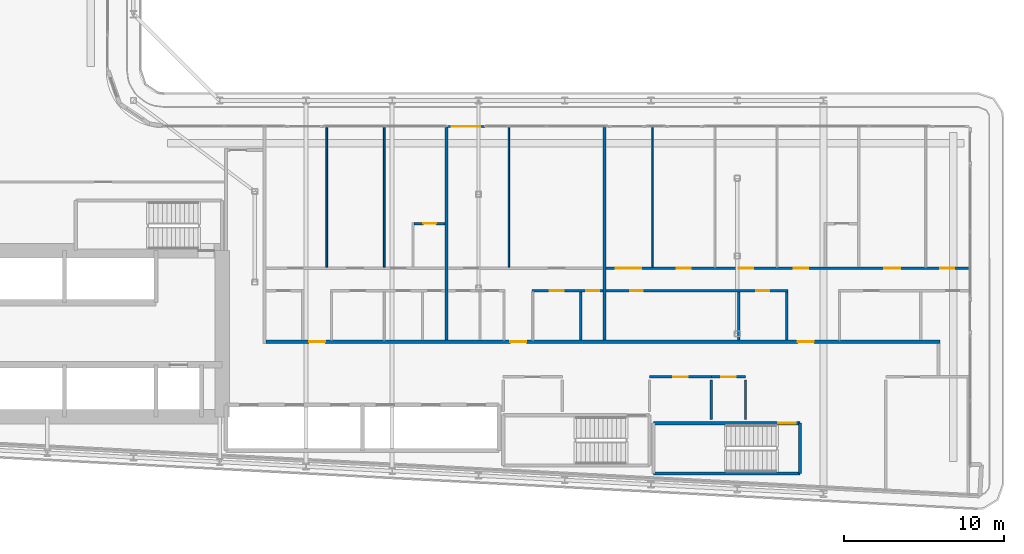
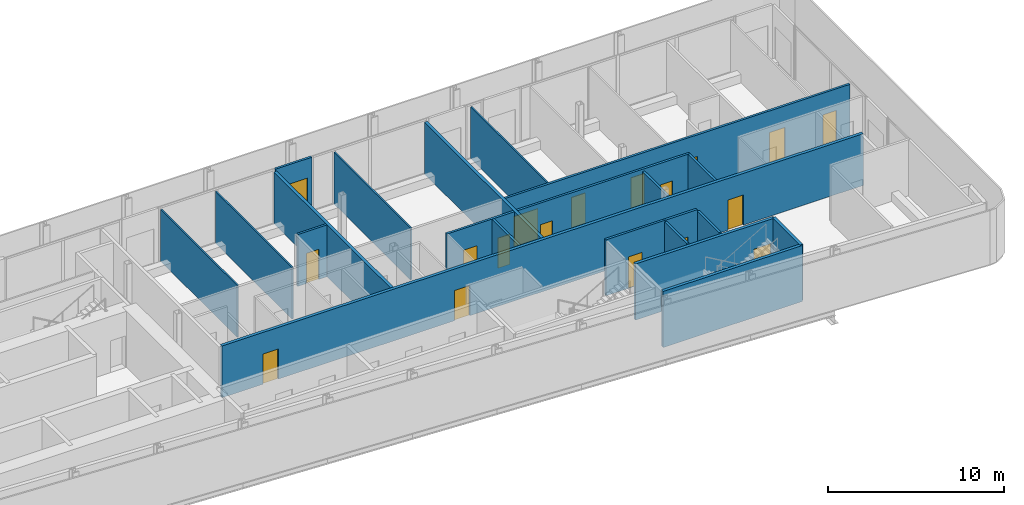
# One storey, part 15 of 28: 22 walls, 18 doors, 18 openings.
"""IFC4 building model written with IfcOpenShell, lengths in metres."""

from ifc_helpers import new_model, si_unit, direction, frame, frame_2d, origin, place, context, subcontext, project, spatial, rectangle, extrude, source, transform, mapped, material, layer, layer_set, type_object, element, fill, save


model = new_model("IFC4")

# Units and contexts
model_context = context("Model", 3, precision=1e-05, world=origin(), true_north=direction((0.0, 1.0)))
body_context = subcontext(model_context, "Body", "Model", "MODEL_VIEW")
ifc_project = project(units=[si_unit("LENGTHUNIT", "METRE"), si_unit("AREAUNIT", "SQUARE_METRE"), si_unit("VOLUMEUNIT", "CUBIC_METRE"), si_unit("PLANEANGLEUNIT", "RADIAN"), si_unit("MASSUNIT", "GRAM", prefix="KILO")], contexts=[model_context])

# Site, building, storey
site_placement = place(None, origin())
site = spatial("IfcSite", under=ifc_project, at=site_placement, CompositionType="ELEMENT")
building_placement = place(site_placement, origin())
building = spatial("IfcBuilding", under=site, at=building_placement, Name="Kheshtan School and Residences Tower", CompositionType="ELEMENT")
storey_placement = place(building_placement, frame((0.0, 0.0, 94.10009765625)))
storey = spatial("IfcBuildingStorey", under=building, at=storey_placement, Name="L21", CompositionType="ELEMENT", Elevation=94.10009765625)

# Wall, openings, doors
ifc_material_1 = material(Name="Gypsum board on steel studs with fire boards", Category="steel")
ifc_layer_1 = layer(ifc_material_1, 0.199951171875)
ifc_layer_set_1 = layer_set([ifc_layer_1], Name="Corridor wall 200")
wall_type_1 = type_object("IfcWallType", Name="Corridor wall 200", PredefinedType="PARTITIONING", material=ifc_layer_set_1)
wall_1_placement = place(storey_placement, frame((55.89990234375, 30.5, 0.0), z_axis=(0.0, 0.0, 1.0), x_axis=(1.0, 0.0, 0.0)))
wall_1 = element("IfcWall", 1, at=wall_1_placement, inside=storey, type_object=wall_type_1, Name="Partition L21-033", PredefinedType="PARTITIONING", context=body_context, shape_type="SweptSolid", body=[
    extrude(rectangle(XDim=42.2001953125, YDim=0.199951171875, at=frame_2d((21.10009765625, 0.0))), origin(), (0.0, 0.0, 1.0), 3.599853515625),
])
opening_1_placement = place(wall_1_placement, frame((2.699951171875, 0.0, 0.0)))
opening_1 = element("IfcOpeningElement", 2, at=opening_1_placement, cuts=wall_1, Name="Opening D21-005", PredefinedType="OPENING", context=body_context, shape_type="SweptSolid", body=[
    extrude(rectangle(XDim=1.0, YDim=2.10009765625, at=frame_2d((0.5, 1.050048828125))), frame((0.0, 0.10986328125, 0.0), z_axis=(0.0, -1.0, 0.0), x_axis=(1.0, 0.0, 0.0)), (0.0, 0.0, 1.0), 0.219970703125),
])
opening_2_placement = place(wall_1_placement, frame((15.300048828125, 0.0, 0.0)))
opening_2 = element("IfcOpeningElement", 3, at=opening_2_placement, cuts=wall_1, Name="Opening D21-012", PredefinedType="OPENING", context=body_context, shape_type="SweptSolid", body=[
    extrude(rectangle(XDim=1.0, YDim=2.10009765625, at=frame_2d((0.5, 1.050048828125))), frame((0.0, 0.10986328125, 0.0), z_axis=(0.0, -1.0, 0.0), x_axis=(1.0, 0.0, 0.0)), (0.0, 0.0, 1.0), 0.219970703125),
])
opening_3_placement = place(wall_1_placement, frame((33.300048828125, 0.0, 0.0)))
opening_3 = element("IfcOpeningElement", 4, at=opening_3_placement, cuts=wall_1, Name="Opening D21-023", PredefinedType="OPENING", context=body_context, shape_type="SweptSolid", body=[
    extrude(rectangle(XDim=1.0, YDim=2.10009765625, at=frame_2d((0.5, 1.050048828125))), frame((0.0, 0.10986328125, 0.0), z_axis=(0.0, -1.0, 0.0), x_axis=(1.0, 0.0, 0.0)), (0.0, 0.0, 1.0), 0.219970703125),
])
ifc_material_2 = material(Name="Steel-framed fire-resisting door leaf", Category="steel")
door_type_1 = type_object("IfcDoorType", Name="Fire door FD30S 1000 x 2100", OperationType="SINGLE_SWING_LEFT", PredefinedType="DOOR", material=ifc_material_2)
shared_shape_1 = source(origin(), body_context, "Body", "SweptSolid", [
    extrude(rectangle(XDim=1.0, YDim=2.10009765625, at=frame_2d((0.5, 1.050048828125))), frame((0.0, 0.02490234375, 0.0), z_axis=(0.0, -1.0, 0.0), x_axis=(1.0, 0.0, 0.0)), (0.0, 0.0, 1.0), 0.050048828125),
])
door_1_placement = place(opening_1_placement, origin())
door_1 = element("IfcDoor", 5, at=door_1_placement, inside=storey, type_object=door_type_1, Name="Door D21-005", OperationType="SINGLE_SWING_LEFT", OverallHeight=2.10009765625, OverallWidth=1.0, PredefinedType="DOOR", context=body_context, shape_type="MappedRepresentation", body=[
    mapped(shared_shape_1, transform((0.0, 0.0, 0.0), x_axis=(1.0, 0.0, 0.0), y_axis=(0.0, 1.0, 0.0), z_axis=(0.0, 0.0, 1.0), scale=1.0)),
])
fill(opening_1, door_1)
door_2_placement = place(opening_2_placement, origin())
door_2 = element("IfcDoor", 6, at=door_2_placement, inside=storey, type_object=door_type_1, Name="Door D21-012", OperationType="SINGLE_SWING_LEFT", OverallHeight=2.10009765625, OverallWidth=1.0, PredefinedType="DOOR", context=body_context, shape_type="MappedRepresentation", body=[
    mapped(shared_shape_1, transform((0.0, 0.0, 0.0), x_axis=(1.0, 0.0, 0.0), y_axis=(0.0, 1.0, 0.0), z_axis=(0.0, 0.0, 1.0), scale=1.0)),
])
fill(opening_2, door_2)
door_3_placement = place(opening_3_placement, origin())
door_3 = element("IfcDoor", 7, at=door_3_placement, inside=storey, type_object=door_type_1, Name="Door D21-023", OperationType="SINGLE_SWING_LEFT", OverallHeight=2.10009765625, OverallWidth=1.0, PredefinedType="DOOR", context=body_context, shape_type="MappedRepresentation", body=[
    mapped(shared_shape_1, transform((0.0, 0.0, 0.0), x_axis=(1.0, 0.0, 0.0), y_axis=(0.0, 1.0, 0.0), z_axis=(0.0, 0.0, 1.0), scale=1.0)),
])
fill(opening_3, door_3)

# Wall, opening, door
ifc_material_3 = material(Name="Aluminium frame wall with insulated infill", Category="aluminium")
ifc_layer_2 = layer(ifc_material_3, 0.14990234375)
ifc_layer_set_2 = layer_set([ifc_layer_2], Name="Glazing frame wall 150")
wall_type_2 = type_object("IfcWallType", Name="Glazing frame wall 150", PredefinedType="SOLIDWALL", material=ifc_layer_set_2)
wall_2_placement = place(storey_placement, frame((67.218017578125, 43.97509765625, 0.0), z_axis=(0.0, 0.0, 1.0), x_axis=(1.0, 0.0, 0.0)))
wall_2 = element("IfcWall", 8, at=wall_2_placement, inside=storey, type_object=wall_type_2, Name="Balcony door wall L21 8.2", PredefinedType="SOLIDWALL", context=body_context, shape_type="SweptSolid", body=[
    extrude(rectangle(XDim=2.39990234375, YDim=0.14990234375, at=frame_2d((1.199951171875, 0.0))), origin(), (0.0, 0.0, 1.0), 3.75),
])
opening_4_placement = place(wall_2_placement, frame((0.300048828125, 0.0, 0.0)))
opening_4 = element("IfcOpeningElement", 9, at=opening_4_placement, cuts=wall_2, Name="Opening BD", PredefinedType="OPENING", context=body_context, shape_type="SweptSolid", body=[
    extrude(rectangle(XDim=1.800048828125, YDim=2.39990234375, at=frame_2d((0.89990234375, 1.199951171875))), frame((0.0, 0.0849609375, 0.0), z_axis=(0.0, -1.0, 0.0), x_axis=(1.0, 0.0, 0.0)), (0.0, 0.0, 1.0), 0.169921875),
])
ifc_material_4 = material(Name="Clear low-e glass in thermally broken aluminium frame", Category="aluminium")
door_type_2 = type_object("IfcDoorType", Name="Balcony sliding door", OperationType="SLIDING_TO_LEFT", PredefinedType="DOOR", material=ifc_material_4)
shared_shape_2 = source(origin(), body_context, "Body", "SweptSolid", [
    extrude(rectangle(XDim=1.800048828125, YDim=2.39990234375, at=frame_2d((0.89990234375, 1.199951171875))), frame((0.0, 0.02490234375, 0.0), z_axis=(0.0, -1.0, 0.0), x_axis=(1.0, 0.0, 0.0)), (0.0, 0.0, 1.0), 0.050048828125),
])
door_4_placement = place(opening_4_placement, origin())
door_4 = element("IfcDoor", 10, at=door_4_placement, inside=storey, type_object=door_type_2, Name="Balcony door L21 8.2", OperationType="SLIDING_TO_LEFT", OverallHeight=2.39990234375, OverallWidth=1.800048828125, PredefinedType="DOOR", context=body_context, shape_type="MappedRepresentation", body=[
    mapped(shared_shape_2, transform((0.0, 0.0, 0.0), x_axis=(1.0, 0.0, 0.0), y_axis=(0.0, 1.0, 0.0), z_axis=(0.0, 0.0, 1.0), scale=1.0)),
])
fill(opening_4, door_4)

# Walls
ifc_material_5 = material(Name="Gypsum board on steel studs", Category="steel")
ifc_layer_3 = layer(ifc_material_5, 0.10009765625)
ifc_layer_set_3 = layer_set([ifc_layer_3], Name="Gypsum partition 100")
wall_type_3 = type_object("IfcWallType", Name="Gypsum partition 100", PredefinedType="PARTITIONING", material=ifc_layer_set_3)
for number, where, z_axis, x_axis, name in (
    (11, (59.699951171875, 35.175048828125, 0.0), (0.0, 0.0, 1.0), (0.0, 1.0, 0.0), "Partition L21-037"),
    (12, (63.300048828125, 35.175048828125, 0.0), (0.0, 0.0, 1.0), (0.0, 1.0, 0.0), "Partition L21-041"),
    (13, (71.10009765625, 35.175048828125, 0.0), (0.0, 0.0, 1.0), (0.0, 1.0, 0.0), "Partition L21-050"),
    (14, (80.10009765625, 35.175048828125, 0.0), (0.0, 0.0, 1.0), (0.0, 1.0, 0.0), "Partition L21-057"),
):
    element("IfcWall", number, at=place(storey_placement, frame(where, z_axis=z_axis, x_axis=x_axis)), inside=storey, type_object=wall_type_3, Name=name, PredefinedType="PARTITIONING", context=body_context, shape_type="SweptSolid", body=[
        extrude(rectangle(XDim=8.724853515625, YDim=0.10009765625, at=frame_2d((4.3623046875, 0.0))), origin(), (0.0, 0.0, 1.0), 3.599853515625),
    ])

# Wall, opening, door
ifc_material_6 = material(Name="Fire-board shaft wall system")
ifc_layer_4 = layer(ifc_material_6, 0.14990234375)
ifc_layer_set_4 = layer_set([ifc_layer_4], Name="Service room wall 150")
wall_type_4 = type_object("IfcWallType", Name="Service room wall 150", PredefinedType="PARTITIONING", material=ifc_layer_set_4)
wall_3_placement = place(storey_placement, frame((79.909912109375, 28.300048828125, 0.0), z_axis=(0.0, 0.0, 1.0), x_axis=(1.0, 0.0, 0.0)))
wall_3 = element("IfcWall", 15, at=wall_3_placement, inside=storey, type_object=wall_type_4, Name="Service room wall", PredefinedType="PARTITIONING", context=body_context, shape_type="SweptSolid", body=[
    extrude(rectangle(XDim=3.864990234375, YDim=0.14990234375, at=frame_2d((1.9326171875, 0.0))), origin(), (0.0, 0.0, 1.0), 3.89990234375),
])
opening_5_placement = place(wall_3_placement, frame((1.48193359375, 0.0, 0.0)))
opening_5 = element("IfcOpeningElement", 16, at=opening_5_placement, cuts=wall_3, Name="Opening SR90", PredefinedType="OPENING", context=body_context, shape_type="SweptSolid", body=[
    extrude(rectangle(XDim=0.89990234375, YDim=2.199951171875, at=frame_2d((0.449951171875, 1.10009765625))), frame((0.0, 0.0849609375, 0.0), z_axis=(0.0, -1.0, 0.0), x_axis=(1.0, 0.0, 0.0)), (0.0, 0.0, 1.0), 0.169921875),
])
ifc_material_7 = material(Name="Steel door leaf, galvanised", Category="steel")
door_type_3 = type_object("IfcDoorType", Name="Service room door 900 steel 90 min", OperationType="SINGLE_SWING_LEFT", PredefinedType="DOOR", material=ifc_material_7)
shared_shape_3 = source(origin(), body_context, "Body", "SweptSolid", [
    extrude(rectangle(XDim=0.89990234375, YDim=2.199951171875, at=frame_2d((0.449951171875, 1.10009765625))), frame((0.0, 0.02490234375, 0.0), z_axis=(0.0, -1.0, 0.0), x_axis=(1.0, 0.0, 0.0)), (0.0, 0.0, 1.0), 0.050048828125),
])
door_5_placement = place(opening_5_placement, origin())
door_5 = element("IfcDoor", 17, at=door_5_placement, inside=storey, type_object=door_type_3, Name="Service room door", OperationType="SINGLE_SWING_RIGHT", OverallHeight=2.199951171875, OverallWidth=0.89990234375, PredefinedType="DOOR", context=body_context, shape_type="MappedRepresentation", body=[
    mapped(shared_shape_3, transform((0.0, 0.0, 0.0), x_axis=(1.0, 0.0, 0.0), y_axis=(0.0, 1.0, 0.0), z_axis=(0.0, 0.0, 1.0), scale=1.0)),
])
fill(opening_5, door_5)

# Wall
wall_4_placement = place(storey_placement, frame((83.77490234375, 25.6201171875, 0.0), z_axis=(0.0, 0.0, 1.0), x_axis=(0.0, 1.0, 0.0)))
element("IfcWall", 18, at=wall_4_placement, inside=storey, type_object=wall_type_4, Name="Service room wall", PredefinedType="PARTITIONING", context=body_context, shape_type="SweptSolid", body=[
    extrude(rectangle(XDim=2.48486328125, YDim=0.14990234375, at=frame_2d((1.242431640625, 0.0))), origin(), (0.0, 0.0, 1.0), 3.89990234375),
])

# Wall, opening, door
wall_5_placement = place(storey_placement, frame((83.77490234375, 28.300048828125, 0.0), z_axis=(0.0, 0.0, 1.0), x_axis=(1.0, 0.0, 0.0)))
wall_5 = element("IfcWall", 19, at=wall_5_placement, inside=storey, type_object=wall_type_4, Name="Service room wall", PredefinedType="PARTITIONING", context=body_context, shape_type="SweptSolid", body=[
    extrude(rectangle(XDim=2.14501953125, YDim=0.14990234375, at=frame_2d((1.072509765625, 0.0))), origin(), (0.0, 0.0, 1.0), 3.89990234375),
])
opening_6_placement = place(wall_5_placement, frame((0.623046875, 0.0, 0.0)))
opening_6 = element("IfcOpeningElement", 20, at=opening_6_placement, cuts=wall_5, Name="Opening SR90", PredefinedType="OPENING", context=body_context, shape_type="SweptSolid", body=[
    extrude(rectangle(XDim=0.89990234375, YDim=2.199951171875, at=frame_2d((0.449951171875, 1.10009765625))), frame((0.0, 0.0849609375, 0.0), z_axis=(0.0, -1.0, 0.0), x_axis=(1.0, 0.0, 0.0)), (0.0, 0.0, 1.0), 0.169921875),
])
door_6_placement = place(opening_6_placement, origin())
door_6 = element("IfcDoor", 21, at=door_6_placement, inside=storey, type_object=door_type_3, Name="Service room door", OperationType="SINGLE_SWING_LEFT", OverallHeight=2.199951171875, OverallWidth=0.89990234375, PredefinedType="DOOR", context=body_context, shape_type="MappedRepresentation", body=[
    mapped(shared_shape_3, transform((0.0, 0.0, 0.0), x_axis=(1.0, 0.0, 0.0), y_axis=(0.0, 1.0, 0.0), z_axis=(0.0, 0.0, 1.0), scale=1.0)),
])
fill(opening_6, door_6)

# Walls
wall_6_placement = place(storey_placement, frame((85.919921875, 25.6201171875, 0.0), z_axis=(0.0, 0.0, 1.0), x_axis=(0.0, 1.0, 0.0)))
element("IfcWall", 22, at=wall_6_placement, inside=storey, type_object=wall_type_4, Name="Service room wall", PredefinedType="PARTITIONING", context=body_context, shape_type="SweptSolid", body=[
    extrude(rectangle(XDim=2.48486328125, YDim=0.14990234375, at=frame_2d((1.242431640625, 0.0))), origin(), (0.0, 0.0, 1.0), 3.89990234375),
])
ifc_material_8 = material(Name="Concrete C40/50", Category="concrete")
ifc_layer_5 = layer(ifc_material_8, 0.199951171875)
ifc_layer_set_5 = layer_set([ifc_layer_5], Name="Stair enclosure wall 200 Concrete C40/50")
wall_type_5 = type_object("IfcWallType", Name="Stair enclosure wall 200 Concrete C40/50", PredefinedType="SHEAR", material=ifc_layer_set_5)
wall_7_placement = place(storey_placement, frame((80.159912109375, 22.25, 0.0), z_axis=(0.0, 0.0, 1.0), x_axis=(1.0, 0.0, 0.0)))
element("IfcWall", 23, at=wall_7_placement, inside=storey, type_object=wall_type_5, Name="Stair enclosure wall ST4", PredefinedType="SHEAR", context=body_context, shape_type="SweptSolid", body=[
    extrude(rectangle(XDim=9.16015625, YDim=0.199951171875, at=frame_2d((4.580078125, 0.0))), origin(), (0.0, 0.0, 1.0), 3.89990234375),
])

# Wall, opening, door
wall_8_placement = place(storey_placement, frame((80.159912109375, 25.39990234375, 0.0), z_axis=(0.0, 0.0, 1.0), x_axis=(1.0, 0.0, 0.0)))
wall_8 = element("IfcWall", 24, at=wall_8_placement, inside=storey, type_object=wall_type_5, Name="Stair enclosure wall ST4", PredefinedType="SHEAR", context=body_context, shape_type="SweptSolid", body=[
    extrude(rectangle(XDim=9.16015625, YDim=0.199951171875, at=frame_2d((4.580078125, 0.0))), origin(), (0.0, 0.0, 1.0), 3.89990234375),
])
opening_7_placement = place(wall_8_placement, frame((7.81005859375, 0.0, 0.0)))
opening_7 = element("IfcOpeningElement", 25, at=opening_7_placement, cuts=wall_8, Name="Opening ST4D", PredefinedType="OPENING", context=body_context, shape_type="SweptSolid", body=[
    extrude(rectangle(XDim=1.10009765625, YDim=2.199951171875, at=frame_2d((0.550048828125, 1.10009765625))), frame((0.0, 0.10986328125, 0.0), z_axis=(0.0, -1.0, 0.0), x_axis=(1.0, 0.0, 0.0)), (0.0, 0.0, 1.0), 0.219970703125),
])
door_type_4 = type_object("IfcDoorType", Name="Stair door 1100 steel 90 min", OperationType="SINGLE_SWING_LEFT", PredefinedType="DOOR", material=ifc_material_7)
shared_shape_4 = source(origin(), body_context, "Body", "SweptSolid", [
    extrude(rectangle(XDim=1.10009765625, YDim=2.199951171875, at=frame_2d((0.550048828125, 1.10009765625))), frame((0.0, 0.02490234375, 0.0), z_axis=(0.0, -1.0, 0.0), x_axis=(1.0, 0.0, 0.0)), (0.0, 0.0, 1.0), 0.050048828125),
])
door_7_placement = place(opening_7_placement, origin())
door_7 = element("IfcDoor", 26, at=door_7_placement, inside=storey, type_object=door_type_4, Name="Stair ST4 door", OperationType="SINGLE_SWING_LEFT", OverallHeight=2.199951171875, OverallWidth=1.10009765625, PredefinedType="DOOR", context=body_context, shape_type="MappedRepresentation", body=[
    mapped(shared_shape_4, transform((0.0, 0.0, 0.0), x_axis=(1.0, 0.0, 0.0), y_axis=(0.0, 1.0, 0.0), z_axis=(0.0, 0.0, 1.0), scale=1.0)),
])
fill(opening_7, door_7)

# Walls
wall_9_placement = place(storey_placement, frame((89.320068359375, 22.25, 0.0), z_axis=(0.0, 0.0, 1.0), x_axis=(0.0, 1.0, 0.0)))
element("IfcWall", 27, at=wall_9_placement, inside=storey, type_object=wall_type_5, Name="Stair enclosure wall ST4", PredefinedType="SHEAR", context=body_context, shape_type="SweptSolid", body=[
    extrude(rectangle(XDim=3.14990234375, YDim=0.199951171875, at=frame_2d((1.574951171875, 0.0))), origin(), (0.0, 0.0, 1.0), 3.89990234375),
])
ifc_material_9 = material(Name="Twin gypsum board on steel studs with mineral wool", Category="steel")
ifc_layer_6 = layer(ifc_material_9, 0.199951171875)
ifc_layer_set_6 = layer_set([ifc_layer_6], Name="Unit demising wall 200")
wall_type_6 = type_object("IfcWallType", Name="Unit demising wall 200", PredefinedType="PARTITIONING", material=ifc_layer_set_6)
for number, where, z_axis, x_axis, name in (
    (28, (67.199951171875, 30.60009765625, 0.0), (0.0, 0.0, 1.0), (0.0, 1.0, 0.0), "Partition L21-045"),
    (29, (77.10009765625, 30.60009765625, 0.0), (0.0, 0.0, 1.0), (0.0, 1.0, 0.0), "Partition L21-054"),
):
    element("IfcWall", number, at=place(storey_placement, frame(where, z_axis=z_axis, x_axis=x_axis)), inside=storey, type_object=wall_type_6, Name=name, PredefinedType="PARTITIONING", context=body_context, shape_type="SweptSolid", body=[
        extrude(rectangle(XDim=13.2998046875, YDim=0.199951171875, at=frame_2d((6.64990234375, 0.0))), origin(), (0.0, 0.0, 1.0), 3.599853515625),
    ])

# Wall, opening, door
ifc_material_10 = material(Name="Moisture-resistant gypsum board on steel studs", Category="steel")
ifc_layer_7 = layer(ifc_material_10, 0.14990234375)
ifc_layer_set_7 = layer_set([ifc_layer_7], Name="Wet-room partition 150")
wall_type_7 = type_object("IfcWallType", Name="Wet-room partition 150", PredefinedType="PARTITIONING", material=ifc_layer_set_7)
wall_10_placement = place(storey_placement, frame((65.175048828125, 37.89990234375, 0.0), z_axis=(0.0, 0.0, 1.0), x_axis=(1.0, 0.0, 0.0)))
wall_10 = element("IfcWall", 30, at=wall_10_placement, inside=storey, type_object=wall_type_7, Name="Partition L21-043", PredefinedType="PARTITIONING", context=body_context, shape_type="SweptSolid", body=[
    extrude(rectangle(XDim=1.925048828125, YDim=0.14990234375, at=frame_2d((0.96240234375, 0.0))), origin(), (0.0, 0.0, 1.0), 3.599853515625),
])
opening_8_placement = place(wall_10_placement, frame((0.574951171875, 0.0, 0.0)))
opening_8 = element("IfcOpeningElement", 31, at=opening_8_placement, cuts=wall_10, Name="Opening D21-004", PredefinedType="OPENING", context=body_context, shape_type="SweptSolid", body=[
    extrude(rectangle(XDim=0.800048828125, YDim=2.10009765625, at=frame_2d((0.39990234375, 1.050048828125))), frame((0.0, 0.0849609375, 0.0), z_axis=(0.0, -1.0, 0.0), x_axis=(1.0, 0.0, 0.0)), (0.0, 0.0, 1.0), 0.169921875),
])
ifc_material_11 = material(Name="Veneered timber door leaf", Category="wood")
door_type_5 = type_object("IfcDoorType", Name="Door 800 x 2100", OperationType="SINGLE_SWING_LEFT", PredefinedType="DOOR", material=ifc_material_11)
shared_shape_5 = source(origin(), body_context, "Body", "SweptSolid", [
    extrude(rectangle(XDim=0.800048828125, YDim=2.10009765625, at=frame_2d((0.39990234375, 1.050048828125))), frame((0.0, 0.02490234375, 0.0), z_axis=(0.0, -1.0, 0.0), x_axis=(1.0, 0.0, 0.0)), (0.0, 0.0, 1.0), 0.050048828125),
])
door_8_placement = place(opening_8_placement, origin())
door_8 = element("IfcDoor", 32, at=door_8_placement, inside=storey, type_object=door_type_5, Name="Door D21-004", OperationType="SINGLE_SWING_LEFT", OverallHeight=2.10009765625, OverallWidth=0.800048828125, PredefinedType="DOOR", context=body_context, shape_type="MappedRepresentation", body=[
    mapped(shared_shape_5, transform((0.0, 0.0, 0.0), x_axis=(1.0, 0.0, 0.0), y_axis=(0.0, 1.0, 0.0), z_axis=(0.0, 0.0, 1.0), scale=1.0)),
])
fill(opening_8, door_8)

# Wall, openings, doors
wall_11_placement = place(storey_placement, frame((72.550048828125, 33.699951171875, 0.0), z_axis=(0.0, 0.0, 1.0), x_axis=(1.0, 0.0, 0.0)))
wall_11 = element("IfcWall", 33, at=wall_11_placement, inside=storey, type_object=wall_type_7, Name="Partition L21-051", PredefinedType="PARTITIONING", context=body_context, shape_type="SweptSolid", body=[
    extrude(rectangle(XDim=4.449951171875, YDim=0.14990234375, at=frame_2d((2.22509765625, 0.0))), origin(), (0.0, 0.0, 1.0), 3.599853515625),
])
opening_9_placement = place(wall_11_placement, frame((1.10009765625, 0.0, 0.0)))
opening_9 = element("IfcOpeningElement", 34, at=opening_9_placement, cuts=wall_11, Name="Opening D21-013", PredefinedType="OPENING", context=body_context, shape_type="SweptSolid", body=[
    extrude(rectangle(XDim=0.89990234375, YDim=2.10009765625, at=frame_2d((0.449951171875, 1.050048828125))), frame((0.0, 0.0849609375, 0.0), z_axis=(0.0, -1.0, 0.0), x_axis=(1.0, 0.0, 0.0)), (0.0, 0.0, 1.0), 0.169921875),
])
opening_10_placement = place(wall_11_placement, frame((3.39990234375, 0.0, 0.0)))
opening_10 = element("IfcOpeningElement", 35, at=opening_10_placement, cuts=wall_11, Name="Opening D21-016", PredefinedType="OPENING", context=body_context, shape_type="SweptSolid", body=[
    extrude(rectangle(XDim=0.800048828125, YDim=2.10009765625, at=frame_2d((0.39990234375, 1.050048828125))), frame((0.0, 0.0849609375, 0.0), z_axis=(0.0, -1.0, 0.0), x_axis=(1.0, 0.0, 0.0)), (0.0, 0.0, 1.0), 0.169921875),
])
door_9_placement = place(opening_10_placement, origin())
door_9 = element("IfcDoor", 36, at=door_9_placement, inside=storey, type_object=door_type_5, Name="Door D21-016", OperationType="SINGLE_SWING_LEFT", OverallHeight=2.10009765625, OverallWidth=0.800048828125, PredefinedType="DOOR", context=body_context, shape_type="MappedRepresentation", body=[
    mapped(shared_shape_5, transform((0.0, 0.0, 0.0), x_axis=(1.0, 0.0, 0.0), y_axis=(0.0, 1.0, 0.0), z_axis=(0.0, 0.0, 1.0), scale=1.0)),
])
fill(opening_10, door_9)
door_type_6 = type_object("IfcDoorType", Name="Door 900 x 2100", OperationType="SINGLE_SWING_LEFT", PredefinedType="DOOR", material=ifc_material_11)
shared_shape_6 = source(origin(), body_context, "Body", "SweptSolid", [
    extrude(rectangle(XDim=0.89990234375, YDim=2.10009765625, at=frame_2d((0.449951171875, 1.050048828125))), frame((0.0, 0.02490234375, 0.0), z_axis=(0.0, -1.0, 0.0), x_axis=(1.0, 0.0, 0.0)), (0.0, 0.0, 1.0), 0.050048828125),
])
door_10_placement = place(opening_9_placement, origin())
door_10 = element("IfcDoor", 37, at=door_10_placement, inside=storey, type_object=door_type_6, Name="Door D21-013", OperationType="SINGLE_SWING_RIGHT", OverallHeight=2.10009765625, OverallWidth=0.89990234375, PredefinedType="DOOR", context=body_context, shape_type="MappedRepresentation", body=[
    mapped(shared_shape_6, transform((0.0, 0.0, 0.0), x_axis=(1.0, 0.0, 0.0), y_axis=(0.0, 1.0, 0.0), z_axis=(0.0, 0.0, 1.0), scale=1.0)),
])
fill(opening_9, door_10)

# Wall
wall_12_placement = place(storey_placement, frame((75.60009765625, 30.60009765625, 0.0), z_axis=(0.0, 0.0, 1.0), x_axis=(0.0, 1.0, 0.0)))
element("IfcWall", 38, at=wall_12_placement, inside=storey, type_object=wall_type_7, Name="Partition L21-053", PredefinedType="PARTITIONING", context=body_context, shape_type="SweptSolid", body=[
    extrude(rectangle(XDim=3.02490234375, YDim=0.14990234375, at=frame_2d((1.512451171875, 0.0))), origin(), (0.0, 0.0, 1.0), 3.599853515625),
])

# Wall, openings, doors
wall_13_placement = place(storey_placement, frame((77.199951171875, 33.699951171875, 0.0), z_axis=(0.0, 0.0, 1.0), x_axis=(1.0, 0.0, 0.0)))
wall_13 = element("IfcWall", 39, at=wall_13_placement, inside=storey, type_object=wall_type_7, Name="Partition L21-055", PredefinedType="PARTITIONING", context=body_context, shape_type="SweptSolid", body=[
    extrude(rectangle(XDim=11.375, YDim=0.14990234375, at=frame_2d((5.6875, 0.0))), origin(), (0.0, 0.0, 1.0), 3.599853515625),
])
opening_11_placement = place(wall_13_placement, frame((9.39990234375, 0.0, 0.0)))
opening_11 = element("IfcOpeningElement", 40, at=opening_11_placement, cuts=wall_13, Name="Opening D21-017", PredefinedType="OPENING", context=body_context, shape_type="SweptSolid", body=[
    extrude(rectangle(XDim=0.800048828125, YDim=2.10009765625, at=frame_2d((0.39990234375, 1.050048828125))), frame((0.0, 0.0849609375, 0.0), z_axis=(0.0, -1.0, 0.0), x_axis=(1.0, 0.0, 0.0)), (0.0, 0.0, 1.0), 0.169921875),
])
opening_12_placement = place(wall_13_placement, frame((1.5, 0.0, 0.0)))
opening_12 = element("IfcOpeningElement", 41, at=opening_12_placement, cuts=wall_13, Name="Opening D21-028", PredefinedType="OPENING", context=body_context, shape_type="SweptSolid", body=[
    extrude(rectangle(XDim=0.800048828125, YDim=2.10009765625, at=frame_2d((0.39990234375, 1.050048828125))), frame((0.0, 0.0849609375, 0.0), z_axis=(0.0, -1.0, 0.0), x_axis=(1.0, 0.0, 0.0)), (0.0, 0.0, 1.0), 0.169921875),
])
door_11_placement = place(opening_11_placement, origin())
door_11 = element("IfcDoor", 42, at=door_11_placement, inside=storey, type_object=door_type_5, Name="Door D21-017", OperationType="SINGLE_SWING_LEFT", OverallHeight=2.10009765625, OverallWidth=0.800048828125, PredefinedType="DOOR", context=body_context, shape_type="MappedRepresentation", body=[
    mapped(shared_shape_5, transform((0.0, 0.0, 0.0), x_axis=(1.0, 0.0, 0.0), y_axis=(0.0, 1.0, 0.0), z_axis=(0.0, 0.0, 1.0), scale=1.0)),
])
fill(opening_11, door_11)
door_12_placement = place(opening_12_placement, origin())
door_12 = element("IfcDoor", 43, at=door_12_placement, inside=storey, type_object=door_type_5, Name="Door D21-028", OperationType="SINGLE_SWING_RIGHT", OverallHeight=2.10009765625, OverallWidth=0.800048828125, PredefinedType="DOOR", context=body_context, shape_type="MappedRepresentation", body=[
    mapped(shared_shape_5, transform((0.0, 0.0, 0.0), x_axis=(1.0, 0.0, 0.0), y_axis=(0.0, 1.0, 0.0), z_axis=(0.0, 0.0, 1.0), scale=1.0)),
])
fill(opening_12, door_12)

wall_14_placement = place(storey_placement, frame((77.199951171875, 35.10009765625, 0.0), z_axis=(0.0, 0.0, 1.0), x_axis=(1.0, 0.0, 0.0)))
wall_14 = element("IfcWall", 44, at=wall_14_placement, inside=storey, type_object=wall_type_7, Name="Partition L21-056", PredefinedType="PARTITIONING", context=body_context, shape_type="SweptSolid", body=[
    extrude(rectangle(XDim=22.699951171875, YDim=0.14990234375, at=frame_2d((11.35009765625, 0.0))), origin(), (0.0, 0.0, 1.0), 3.599853515625),
])
opening_13_placement = place(wall_14_placement, frame((4.39990234375, 0.0, 0.0)))
opening_13 = element("IfcOpeningElement", 45, at=opening_13_placement, cuts=wall_14, Name="Opening D21-019", PredefinedType="OPENING", context=body_context, shape_type="SweptSolid", body=[
    extrude(rectangle(XDim=0.89990234375, YDim=2.10009765625, at=frame_2d((0.449951171875, 1.050048828125))), frame((0.0, 0.0849609375, 0.0), z_axis=(0.0, -1.0, 0.0), x_axis=(1.0, 0.0, 0.0)), (0.0, 0.0, 1.0), 0.169921875),
])
opening_14_placement = place(wall_14_placement, frame((8.300048828125, 0.0, 0.0)))
opening_14 = element("IfcOpeningElement", 46, at=opening_14_placement, cuts=wall_14, Name="Opening D21-020", PredefinedType="OPENING", context=body_context, shape_type="SweptSolid", body=[
    extrude(rectangle(XDim=0.89990234375, YDim=2.10009765625, at=frame_2d((0.449951171875, 1.050048828125))), frame((0.0, 0.0849609375, 0.0), z_axis=(0.0, -1.0, 0.0), x_axis=(1.0, 0.0, 0.0)), (0.0, 0.0, 1.0), 0.169921875),
])
opening_15_placement = place(wall_14_placement, frame((20.89990234375, 0.0, 0.0)))
opening_15 = element("IfcOpeningElement", 47, at=opening_15_placement, cuts=wall_14, Name="Opening D21-021", PredefinedType="OPENING", context=body_context, shape_type="SweptSolid", body=[
    extrude(rectangle(XDim=0.89990234375, YDim=2.10009765625, at=frame_2d((0.449951171875, 1.050048828125))), frame((0.0, 0.0849609375, 0.0), z_axis=(0.0, -1.0, 0.0), x_axis=(1.0, 0.0, 0.0)), (0.0, 0.0, 1.0), 0.169921875),
])
opening_16_placement = place(wall_14_placement, frame((17.39990234375, 0.0, 0.0)))
opening_16 = element("IfcOpeningElement", 48, at=opening_16_placement, cuts=wall_14, Name="Opening D21-025", PredefinedType="OPENING", context=body_context, shape_type="SweptSolid", body=[
    extrude(rectangle(XDim=1.0, YDim=2.10009765625, at=frame_2d((0.5, 1.050048828125))), frame((0.0, 0.0849609375, 0.0), z_axis=(0.0, -1.0, 0.0), x_axis=(1.0, 0.0, 0.0)), (0.0, 0.0, 1.0), 0.169921875),
])
opening_17_placement = place(wall_14_placement, frame((0.60009765625, 0.0, 0.0)))
opening_17 = element("IfcOpeningElement", 49, at=opening_17_placement, cuts=wall_14, Name="Opening D21-026", PredefinedType="OPENING", context=body_context, shape_type="SweptSolid", body=[
    extrude(rectangle(XDim=1.60009765625, YDim=2.10009765625, at=frame_2d((0.800048828125, 1.050048828125))), frame((0.0, 0.0849609375, 0.0), z_axis=(0.0, -1.0, 0.0), x_axis=(1.0, 0.0, 0.0)), (0.0, 0.0, 1.0), 0.169921875),
])
opening_18_placement = place(wall_14_placement, frame((11.75, 0.0, 0.0)))
opening_18 = element("IfcOpeningElement", 50, at=opening_18_placement, cuts=wall_14, Name="Opening D21-027", PredefinedType="OPENING", context=body_context, shape_type="SweptSolid", body=[
    extrude(rectangle(XDim=0.89990234375, YDim=2.10009765625, at=frame_2d((0.449951171875, 1.050048828125))), frame((0.0, 0.0849609375, 0.0), z_axis=(0.0, -1.0, 0.0), x_axis=(1.0, 0.0, 0.0)), (0.0, 0.0, 1.0), 0.169921875),
])
door_type_7 = type_object("IfcDoorType", Name="Door 1000 x 2100", OperationType="SINGLE_SWING_LEFT", PredefinedType="DOOR", material=ifc_material_11)
shared_shape_7 = source(origin(), body_context, "Body", "SweptSolid", [
    extrude(rectangle(XDim=1.0, YDim=2.10009765625, at=frame_2d((0.5, 1.050048828125))), frame((0.0, 0.02490234375, 0.0), z_axis=(0.0, -1.0, 0.0), x_axis=(1.0, 0.0, 0.0)), (0.0, 0.0, 1.0), 0.050048828125),
])
door_13_placement = place(opening_16_placement, origin())
door_13 = element("IfcDoor", 51, at=door_13_placement, inside=storey, type_object=door_type_7, Name="Door D21-025", OperationType="SINGLE_SWING_RIGHT", OverallHeight=2.10009765625, OverallWidth=1.0, PredefinedType="DOOR", context=body_context, shape_type="MappedRepresentation", body=[
    mapped(shared_shape_7, transform((0.0, 0.0, 0.0), x_axis=(1.0, 0.0, 0.0), y_axis=(0.0, 1.0, 0.0), z_axis=(0.0, 0.0, 1.0), scale=1.0)),
])
fill(opening_16, door_13)
door_14_placement = place(opening_13_placement, origin())
door_14 = element("IfcDoor", 52, at=door_14_placement, inside=storey, type_object=door_type_6, Name="Door D21-019", OperationType="SINGLE_SWING_RIGHT", OverallHeight=2.10009765625, OverallWidth=0.89990234375, PredefinedType="DOOR", context=body_context, shape_type="MappedRepresentation", body=[
    mapped(shared_shape_6, transform((0.0, 0.0, 0.0), x_axis=(1.0, 0.0, 0.0), y_axis=(0.0, 1.0, 0.0), z_axis=(0.0, 0.0, 1.0), scale=1.0)),
])
fill(opening_13, door_14)
door_15_placement = place(opening_14_placement, origin())
door_15 = element("IfcDoor", 53, at=door_15_placement, inside=storey, type_object=door_type_6, Name="Door D21-020", OperationType="SINGLE_SWING_LEFT", OverallHeight=2.10009765625, OverallWidth=0.89990234375, PredefinedType="DOOR", context=body_context, shape_type="MappedRepresentation", body=[
    mapped(shared_shape_6, transform((0.0, 0.0, 0.0), x_axis=(1.0, 0.0, 0.0), y_axis=(0.0, 1.0, 0.0), z_axis=(0.0, 0.0, 1.0), scale=1.0)),
])
fill(opening_14, door_15)
door_16_placement = place(opening_15_placement, origin())
door_16 = element("IfcDoor", 54, at=door_16_placement, inside=storey, type_object=door_type_6, Name="Door D21-021", OperationType="SINGLE_SWING_LEFT", OverallHeight=2.10009765625, OverallWidth=0.89990234375, PredefinedType="DOOR", context=body_context, shape_type="MappedRepresentation", body=[
    mapped(shared_shape_6, transform((0.0, 0.0, 0.0), x_axis=(1.0, 0.0, 0.0), y_axis=(0.0, 1.0, 0.0), z_axis=(0.0, 0.0, 1.0), scale=1.0)),
])
fill(opening_15, door_16)
door_17_placement = place(opening_18_placement, origin())
door_17 = element("IfcDoor", 55, at=door_17_placement, inside=storey, type_object=door_type_6, Name="Door D21-027", OperationType="SINGLE_SWING_RIGHT", OverallHeight=2.10009765625, OverallWidth=0.89990234375, PredefinedType="DOOR", context=body_context, shape_type="MappedRepresentation", body=[
    mapped(shared_shape_6, transform((0.0, 0.0, 0.0), x_axis=(1.0, 0.0, 0.0), y_axis=(0.0, 1.0, 0.0), z_axis=(0.0, 0.0, 1.0), scale=1.0)),
])
fill(opening_18, door_17)
door_type_8 = type_object("IfcDoorType", Name="Double door 1600 x 2100", OperationType="DOUBLE_DOOR_SINGLE_SWING", PredefinedType="DOOR", material=ifc_material_11)
shared_shape_8 = source(origin(), body_context, "Body", "SweptSolid", [
    extrude(rectangle(XDim=1.60009765625, YDim=2.10009765625, at=frame_2d((0.800048828125, 1.050048828125))), frame((0.0, 0.02490234375, 0.0), z_axis=(0.0, -1.0, 0.0), x_axis=(1.0, 0.0, 0.0)), (0.0, 0.0, 1.0), 0.050048828125),
])
door_18_placement = place(opening_17_placement, origin())
door_18 = element("IfcDoor", 56, at=door_18_placement, inside=storey, type_object=door_type_8, Name="Door D21-026", OperationType="DOUBLE_DOOR_SINGLE_SWING", OverallHeight=2.10009765625, OverallWidth=1.60009765625, PredefinedType="DOOR", context=body_context, shape_type="MappedRepresentation", body=[
    mapped(shared_shape_8, transform((0.0, 0.0, 0.0), x_axis=(1.0, 0.0, 0.0), y_axis=(0.0, 1.0, 0.0), z_axis=(0.0, 0.0, 1.0), scale=1.0)),
])
fill(opening_17, door_18)

# Walls
wall_15_placement = place(storey_placement, frame((85.5, 30.60009765625, 0.0), z_axis=(0.0, 0.0, 1.0), x_axis=(0.0, 1.0, 0.0)))
element("IfcWall", 57, at=wall_15_placement, inside=storey, type_object=wall_type_7, Name="Partition L21-059", PredefinedType="PARTITIONING", context=body_context, shape_type="SweptSolid", body=[
    extrude(rectangle(XDim=3.02490234375, YDim=0.14990234375, at=frame_2d((1.512451171875, 0.0))), origin(), (0.0, 0.0, 1.0), 3.447021484375),
])
wall_16_placement = place(storey_placement, frame((88.5, 30.60009765625, 0.0), z_axis=(0.0, 0.0, 1.0), x_axis=(0.0, 1.0, 0.0)))
element("IfcWall", 58, at=wall_16_placement, inside=storey, type_object=wall_type_7, Name="Partition L21-061", PredefinedType="PARTITIONING", context=body_context, shape_type="SweptSolid", body=[
    extrude(rectangle(XDim=3.02490234375, YDim=0.14990234375, at=frame_2d((1.512451171875, 0.0))), origin(), (0.0, 0.0, 1.0), 3.599853515625),
])

save(model, "model.ifc")
